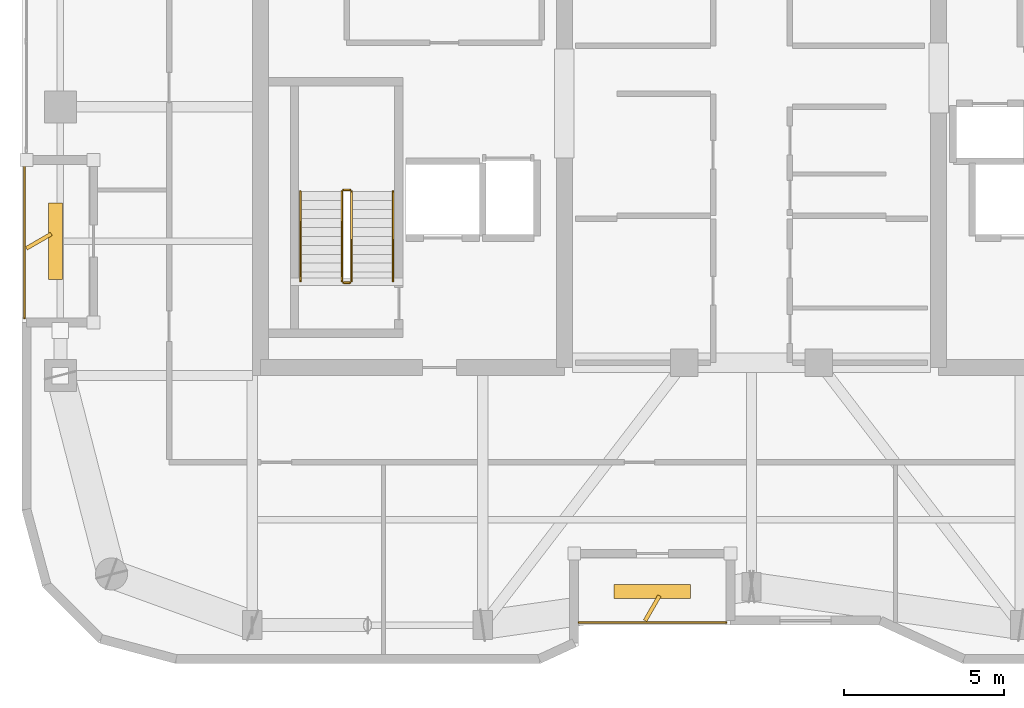
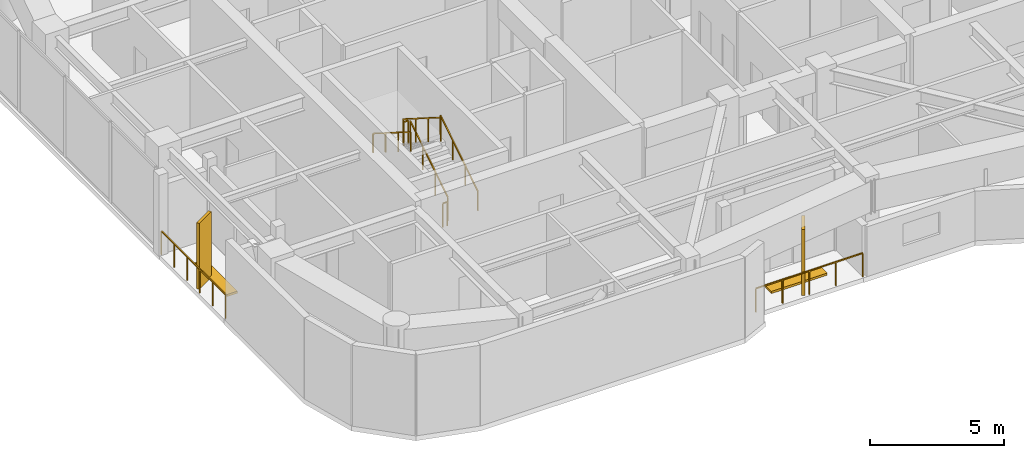
# One storey, part 14 of 15: 8 railings, 4 shading devices.
"""IFC4 building model written with IfcOpenShell, lengths in metres."""

from ifc_helpers import new_model, si_unit, direction, frame, origin, origin_2d, place, context, subcontext, project, spatial, rectangle, extrude, material, type_object, element, save


model = new_model("IFC4")

# Units and contexts
model_context = context("Model", 3, precision=1e-05, world=origin(), true_north=direction((0.0, 1.0)))
body_context = subcontext(model_context, "Body", "Model", "MODEL_VIEW")
ifc_project = project(units=[si_unit("LENGTHUNIT", "METRE"), si_unit("AREAUNIT", "SQUARE_METRE"), si_unit("VOLUMEUNIT", "CUBIC_METRE"), si_unit("PLANEANGLEUNIT", "RADIAN"), si_unit("MASSUNIT", "GRAM", prefix="KILO")], contexts=[model_context])

# Site, building, storey
site_placement = place(None, origin())
site = spatial("IfcSite", under=ifc_project, at=site_placement, CompositionType="ELEMENT")
building_placement = place(site_placement, origin())
building = spatial("IfcBuilding", under=site, at=building_placement, Name="Kiyonajd Concourse Tower", CompositionType="ELEMENT")
storey_placement = place(building_placement, frame((0.0, 0.0, 262.800048828125)))
storey = spatial("IfcBuildingStorey", under=building, at=storey_placement, Name="L66", CompositionType="ELEMENT", Elevation=262.800048828125)

# Railings
ifc_material_1 = material(Name="Thermally Broken Anodised Aluminium", Category="aluminium")
railing_type_1 = type_object("IfcRailingType", Name="RL-GRD-LOG", PredefinedType="GUARDRAIL", material=ifc_material_1)
railing_1_placement = place(storey_placement, frame((42.60009765625, 19.8798828125, 0.0)))
element("IfcRailing", 1, at=railing_1_placement, inside=storey, type_object=railing_type_1, Name="L66 Engawa Loggia Perimeter Guard LOG-S", PredefinedType="GUARDRAIL", context=body_context, shape_type="SweptSolid", body=[
    extrude(rectangle(XDim=0.048095703125, YDim=0.048095703125, at=origin_2d()), frame((0.0, 0.0, 1.076171875), z_axis=(1.0, 0.0, 0.0), x_axis=(0.0, 1.0, 0.0)), (0.0, 0.0, 1.0), 4.599853515625),
    extrude(rectangle(XDim=0.0419921875, YDim=0.0419921875, at=origin_2d()), origin(), (0.0, 0.0, 1.0), 1.052001953125),
    extrude(rectangle(XDim=0.0419921875, YDim=0.0419921875, at=origin_2d()), frame((1.14990234375, 0.0, 0.0)), (0.0, 0.0, 1.0), 1.052001953125),
    extrude(rectangle(XDim=0.0419921875, YDim=0.0419921875, at=origin_2d()), frame((2.2998046875, 0.0, 0.0)), (0.0, 0.0, 1.0), 1.052001953125),
    extrude(rectangle(XDim=0.0419921875, YDim=0.0419921875, at=origin_2d()), frame((3.449951171875, 0.0, 0.0)), (0.0, 0.0, 1.0), 1.052001953125),
    extrude(rectangle(XDim=0.0419921875, YDim=0.0419921875, at=origin_2d()), frame((4.599853515625, 0.0, 0.0)), (0.0, 0.0, 1.0), 1.052001953125),
])
railing_2_placement = place(storey_placement, frame((25.280029296875, 34.199951171875, 0.0)))
element("IfcRailing", 2, at=railing_2_placement, inside=storey, type_object=railing_type_1, Name="L66 Engawa Loggia Perimeter Guard LOG-W", PredefinedType="GUARDRAIL", context=body_context, shape_type="SweptSolid", body=[
    extrude(rectangle(XDim=0.048095703125, YDim=0.048095703125, at=origin_2d()), frame((0.0, 0.0, 1.076171875), z_axis=(0.0, -1.0, 0.0), x_axis=(1.0, 0.0, 0.0)), (0.0, 0.0, 1.0), 4.800048828125),
    extrude(rectangle(XDim=0.0419921875, YDim=0.0419921875, at=origin_2d()), origin(), (0.0, 0.0, 1.0), 1.052001953125),
    extrude(rectangle(XDim=0.0419921875, YDim=0.0419921875, at=origin_2d()), frame((0.0, -0.9599609375, 0.0)), (0.0, 0.0, 1.0), 1.052001953125),
    extrude(rectangle(XDim=0.0419921875, YDim=0.0419921875, at=origin_2d()), frame((0.0, -1.919921875, 0.0)), (0.0, 0.0, 1.0), 1.052001953125),
    extrude(rectangle(XDim=0.0419921875, YDim=0.0419921875, at=origin_2d()), frame((0.0, -2.880126953125, 0.0)), (0.0, 0.0, 1.0), 1.052001953125),
    extrude(rectangle(XDim=0.0419921875, YDim=0.0419921875, at=origin_2d()), frame((0.0, -3.840087890625, 0.0)), (0.0, 0.0, 1.0), 1.052001953125),
    extrude(rectangle(XDim=0.0419921875, YDim=0.0419921875, at=origin_2d()), frame((0.0, -4.800048828125, 0.0)), (0.0, 0.0, 1.0), 1.052001953125),
])
ifc_material_2 = material(Name="Steel ASTM A500 Grade C", Category="steel")
railing_type_2 = type_object("IfcRailingType", Name="RL-GRD-STR", PredefinedType="GUARDRAIL", material=ifc_material_2)
railing_3_placement = place(storey_placement, frame((35.5, 30.550048828125, 0.17724609375)))
element("IfcRailing", 3, at=railing_3_placement, inside=storey, type_object=railing_type_2, Name="L66 ST1 stair guard 1", PredefinedType="GUARDRAIL", context=body_context, shape_type="SweptSolid", body=[
    extrude(rectangle(XDim=0.048095703125, YDim=0.048095703125, at=origin_2d()), frame((0.0, 0.0, 1.076171875), z_axis=(0.0, 0.844908973607, 0.534910110503), x_axis=(-1.0, 0.0, 0.0)), (0.0, 0.0, 1.0), 3.31396484375),
    extrude(rectangle(XDim=0.0419921875, YDim=0.0419921875, at=origin_2d()), origin(), (0.0, 0.0, 1.0), 1.052001953125),
    extrude(rectangle(XDim=0.0419921875, YDim=0.0419921875, at=origin_2d()), frame((0.0, 0.933349609375, 0.5908203125)), (0.0, 0.0, 1.0), 1.052001953125),
    extrude(rectangle(XDim=0.0419921875, YDim=0.0419921875, at=origin_2d()), frame((0.0, 1.86669921875, 1.181884765625)), (0.0, 0.0, 1.0), 1.052001953125),
    extrude(rectangle(XDim=0.0419921875, YDim=0.0419921875, at=origin_2d()), frame((0.0, 2.800048828125, 1.772705078125)), (0.0, 0.0, 1.0), 1.052001953125),
])
railing_4_placement = place(storey_placement, frame((35.449951171875, 33.39990234375, 1.949951171875)))
element("IfcRailing", 4, at=railing_4_placement, inside=storey, type_object=railing_type_2, Name="L66 ST1 stair guard 2", PredefinedType="GUARDRAIL", context=body_context, shape_type="SweptSolid", body=[
    extrude(rectangle(XDim=0.048095703125, YDim=0.048095703125, at=origin_2d()), frame((0.0, 0.0, 1.076171875), z_axis=(-1.0, 0.0, 0.0), x_axis=(0.0, -1.0, 0.0)), (0.0, 0.0, 1.0), 0.199951171875),
    extrude(rectangle(XDim=0.0419921875, YDim=0.0419921875, at=origin_2d()), origin(), (0.0, 0.0, 1.0), 1.052001953125),
    extrude(rectangle(XDim=0.0419921875, YDim=0.0419921875, at=origin_2d()), frame((-0.199951171875, 0.0, 0.0)), (0.0, 0.0, 1.0), 1.052001953125),
])
railing_5_placement = place(storey_placement, frame((35.199951171875, 33.35009765625, 2.127197265625)))
element("IfcRailing", 5, at=railing_5_placement, inside=storey, type_object=railing_type_2, Name="L66 ST1 stair guard 3", PredefinedType="GUARDRAIL", context=body_context, shape_type="SweptSolid", body=[
    extrude(rectangle(XDim=0.048095703125, YDim=0.048095703125, at=origin_2d()), frame((0.0, 0.0, 1.076171875), z_axis=(0.0, -0.844908973607, 0.534910110503), x_axis=(1.0, 0.0, 0.0)), (0.0, 0.0, 1.0), 3.31396484375),
    extrude(rectangle(XDim=0.0419921875, YDim=0.0419921875, at=origin_2d()), origin(), (0.0, 0.0, 1.0), 1.052001953125),
    extrude(rectangle(XDim=0.0419921875, YDim=0.0419921875, at=origin_2d()), frame((0.0, -0.933349609375, 0.5908203125)), (0.0, 0.0, 1.0), 1.052001953125),
    extrude(rectangle(XDim=0.0419921875, YDim=0.0419921875, at=origin_2d()), frame((0.0, -1.86669921875, 1.181884765625)), (0.0, 0.0, 1.0), 1.052001953125),
    extrude(rectangle(XDim=0.0419921875, YDim=0.0419921875, at=origin_2d()), frame((0.0, -2.800048828125, 1.772705078125)), (0.0, 0.0, 1.0), 1.052001953125),
])
railing_6_placement = place(storey_placement, frame((35.449951171875, 30.5, 0.0)))
element("IfcRailing", 6, at=railing_6_placement, inside=storey, type_object=railing_type_2, Name="L66 ST1 stair guard 4", PredefinedType="GUARDRAIL", context=body_context, shape_type="SweptSolid", body=[
    extrude(rectangle(XDim=0.048095703125, YDim=0.048095703125, at=origin_2d()), frame((0.0, 0.0, 1.076171875), z_axis=(-1.0, 0.0, 0.0), x_axis=(0.0, -1.0, 0.0)), (0.0, 0.0, 1.0), 0.199951171875),
    extrude(rectangle(XDim=0.0419921875, YDim=0.0419921875, at=origin_2d()), origin(), (0.0, 0.0, 1.0), 1.052001953125),
    extrude(rectangle(XDim=0.0419921875, YDim=0.0419921875, at=origin_2d()), frame((-0.199951171875, 0.0, 0.0)), (0.0, 0.0, 1.0), 1.052001953125),
])
ifc_material_3 = material(Name="Brushed Stainless Steel Cab Assembly", Category="steel")
railing_type_3 = type_object("IfcRailingType", Name="RL-HND-900", PredefinedType="HANDRAIL", material=ifc_material_3)
railing_7_placement = place(storey_placement, frame((36.800048828125, 30.550048828125, 0.17724609375)))
element("IfcRailing", 7, at=railing_7_placement, inside=storey, type_object=railing_type_3, Name="L66 ST1 stair handrail 1", PredefinedType="HANDRAIL", context=body_context, shape_type="SweptSolid", body=[
    extrude(rectangle(XDim=0.048095703125, YDim=0.048095703125, at=origin_2d()), frame((0.0, 0.0, 0.8759765625), z_axis=(0.0, 0.844908973607, 0.534910110503), x_axis=(-1.0, 0.0, 0.0)), (0.0, 0.0, 1.0), 3.31396484375),
    extrude(rectangle(XDim=0.0419921875, YDim=0.0419921875, at=origin_2d()), origin(), (0.0, 0.0, 1.0), 0.851806640625),
    extrude(rectangle(XDim=0.0419921875, YDim=0.0419921875, at=origin_2d()), frame((0.0, 0.933349609375, 0.5908203125)), (0.0, 0.0, 1.0), 0.851806640625),
    extrude(rectangle(XDim=0.0419921875, YDim=0.0419921875, at=origin_2d()), frame((0.0, 1.86669921875, 1.181884765625)), (0.0, 0.0, 1.0), 0.851806640625),
    extrude(rectangle(XDim=0.0419921875, YDim=0.0419921875, at=origin_2d()), frame((0.0, 2.800048828125, 1.772705078125)), (0.0, 0.0, 1.0), 0.851806640625),
])
railing_8_placement = place(storey_placement, frame((33.89990234375, 33.35009765625, 2.127197265625)))
element("IfcRailing", 8, at=railing_8_placement, inside=storey, type_object=railing_type_3, Name="L66 ST1 stair handrail 2", PredefinedType="HANDRAIL", context=body_context, shape_type="SweptSolid", body=[
    extrude(rectangle(XDim=0.048095703125, YDim=0.048095703125, at=origin_2d()), frame((0.0, 0.0, 0.8759765625), z_axis=(0.0, -0.844908973607, 0.534910110503), x_axis=(1.0, 0.0, 0.0)), (0.0, 0.0, 1.0), 3.31396484375),
    extrude(rectangle(XDim=0.0419921875, YDim=0.0419921875, at=origin_2d()), origin(), (0.0, 0.0, 1.0), 0.851806640625),
    extrude(rectangle(XDim=0.0419921875, YDim=0.0419921875, at=origin_2d()), frame((0.0, -0.933349609375, 0.5908203125)), (0.0, 0.0, 1.0), 0.851806640625),
    extrude(rectangle(XDim=0.0419921875, YDim=0.0419921875, at=origin_2d()), frame((0.0, -1.86669921875, 1.181884765625)), (0.0, 0.0, 1.0), 0.851806640625),
    extrude(rectangle(XDim=0.0419921875, YDim=0.0419921875, at=origin_2d()), frame((0.0, -2.800048828125, 1.772705078125)), (0.0, 0.0, 1.0), 0.851806640625),
])

# Shading devices
ifc_material_4 = material(Name="Precast concrete C50/60", Category="concrete")
shading_device_type_1 = type_object("IfcShadingDeviceType", Name="SH-FIN-900", PredefinedType="USERDEFINED", material=ifc_material_4)
for number, where, z_axis, x_axis, name in (
    (9, (44.89990234375, 20.330078125, 0.0), (0.0, 0.0, 1.0), (0.5, 0.866025403784, 0.0), "L66 Angled Koshi Solar Fin LOG-S"),
    (10, (25.72998046875, 31.800048828125, 0.0), (0.0, 0.0, 1.0), (0.866025403784, 0.5, 0.0), "L66 Angled Koshi Solar Fin LOG-W"),
):
    element("IfcShadingDevice", number, at=place(storey_placement, frame(where, z_axis=z_axis, x_axis=x_axis)), inside=storey, type_object=shading_device_type_1, Name=name, ObjectType="FIN", PredefinedType="USERDEFINED", context=body_context, shape_type="SweptSolid", body=[
        extrude(rectangle(XDim=0.89990234375, YDim=0.1201171875, at=origin_2d()), origin(), (0.0, 0.0, 1.0), 3.0),
    ])
shading_device_type_2 = type_object("IfcShadingDeviceType", Name="SH-LVR-600", PredefinedType="JALOUSIE", material=ifc_material_1)
for number, where, z_axis, x_axis, name in (
    (11, (44.89990234375, 20.85009765625, 0.0), (0.0, 0.0, 1.0), (1.0, 0.0, 0.0), "L66 Loggia Threshold Louver LOG-S"),
    (12, (26.25, 31.800048828125, 0.0), (0.0, 0.0, 1.0), (0.0, 1.0, 0.0), "L66 Loggia Threshold Louver LOG-W"),
):
    element("IfcShadingDevice", number, at=place(storey_placement, frame(where, z_axis=z_axis, x_axis=x_axis)), inside=storey, type_object=shading_device_type_2, Name=name, PredefinedType="JALOUSIE", context=body_context, shape_type="SweptSolid", body=[
        extrude(rectangle(XDim=2.39990234375, YDim=0.449951171875, at=origin_2d()), origin(), (0.0, 0.0, 1.0), 0.10009765625),
    ])

save(model, "model.ifc")
